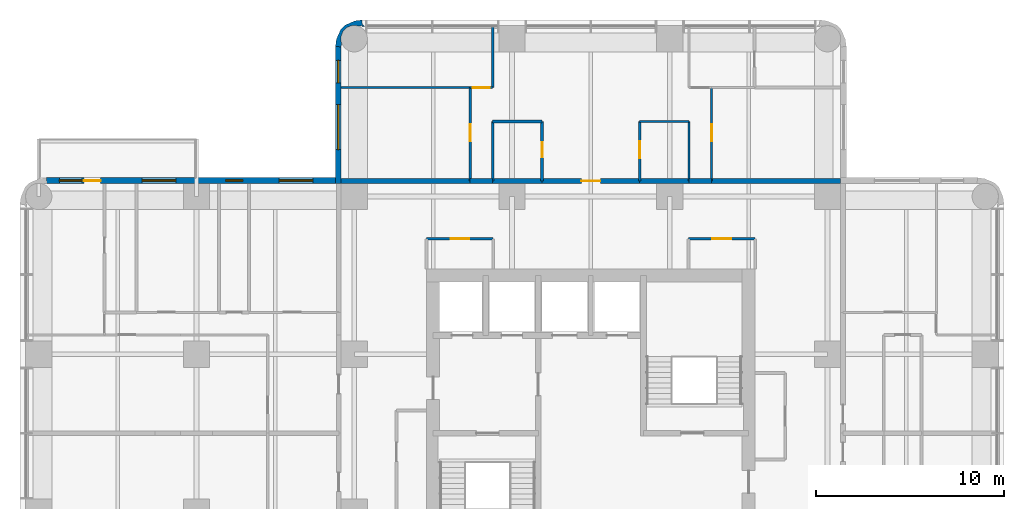
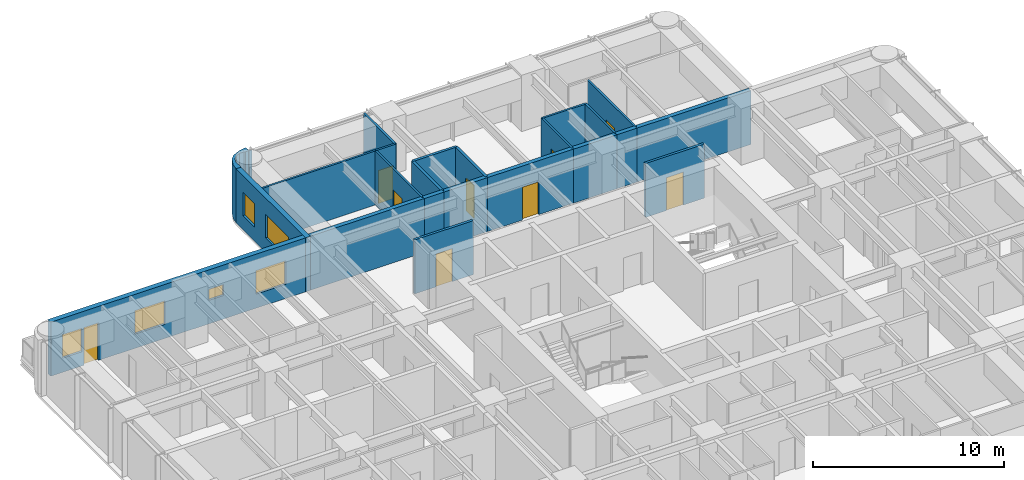
# One storey, part 9 of 11: 23 walls, 9 doors, 6 windows, 15 openings.
"""IFC4 building model written with IfcOpenShell, lengths in metres."""

from ifc_helpers import new_model, si_unit, direction, frame, frame_2d, origin, place, context, subcontext, project, spatial, polyline, rectangle, outline, extrude, material, layer, layer_set, type_object, element, fill, save


model = new_model("IFC4")

# Units and contexts
model_context = context("Model", 3, precision=1e-05, world=origin(), true_north=direction((0.0, 1.0)))
body_context = subcontext(model_context, "Body", "Model", "MODEL_VIEW")
ifc_project = project(units=[si_unit("LENGTHUNIT", "METRE"), si_unit("AREAUNIT", "SQUARE_METRE"), si_unit("VOLUMEUNIT", "CUBIC_METRE"), si_unit("PLANEANGLEUNIT", "RADIAN"), si_unit("MASSUNIT", "GRAM", prefix="KILO")], contexts=[model_context])

# Site, building, storey
site_placement = place(None, origin())
site = spatial("IfcSite", under=ifc_project, at=site_placement, CompositionType="ELEMENT")
building_placement = place(site_placement, origin())
building = spatial("IfcBuilding", under=site, at=building_placement, Name="Torre Alcanfor", CompositionType="ELEMENT")
storey_placement = place(building_placement, frame((0.0, 0.0, 197.699951171875)))
storey = spatial("IfcBuildingStorey", under=building, at=storey_placement, Name="L51", CompositionType="ELEMENT", Elevation=197.699951171875)

# Wall, opening, door
ifc_material_1 = material(Name="Concrete block masonry, hollow blocks NMX-C-404 9 MPa", Category="masonry")
ifc_layer_1 = layer(ifc_material_1, 0.25)
ifc_layer_set_1 = layer_set([ifc_layer_1], Name="Apartment entrance wall 250 EI 60")
wall_type_1 = type_object("IfcWallType", Name="Apartment entrance wall 250 EI 60", PredefinedType="PARTITIONING", material=ifc_layer_set_1)
wall_1_placement = place(storey_placement, frame((26.800048828125, 42.824951171875, 0.0), z_axis=(0.0, 0.0, 1.0), x_axis=(1.0, 0.0, 0.0)))
wall_1 = element("IfcWall", 1, at=wall_1_placement, inside=storey, type_object=wall_type_1, Name="Partition L51-CORR / L51-NX-ZAG", PredefinedType="PARTITIONING", context=body_context, shape_type="SweptSolid", body=[
    extrude(rectangle(XDim=5.199951171875, YDim=0.25, at=frame_2d((2.60009765625, 0.0))), origin(), (0.0, 0.0, 1.0), 3.449951171875),
])
opening_1_placement = place(wall_1_placement, frame((2.10009765625, 0.0, 0.0)))
opening_1 = element("IfcOpeningElement", 2, at=opening_1_placement, cuts=wall_1, Name="Opening D-A1", PredefinedType="OPENING", context=body_context, shape_type="SweptSolid", body=[
    extrude(rectangle(XDim=1.0, YDim=2.10009765625, at=frame_2d((0.5, 1.050048828125))), frame((0.0, 0.135009765625, 0.0), z_axis=(0.0, -1.0, 0.0), x_axis=(1.0, 0.0, 0.0)), (0.0, 0.0, 1.0), 0.27001953125),
])
ifc_material_2 = material(Name="Galvanised steel sheet ASTM A653", Category="steel")
door_type_1 = type_object("IfcDoorType", Name="Apartment entrance door FD60 1000x2100", OperationType="SINGLE_SWING_LEFT", PredefinedType="DOOR", material=ifc_material_2)
door_1_placement = place(opening_1_placement, origin())
door_1 = element("IfcDoor", 3, at=door_1_placement, inside=storey, type_object=door_type_1, Name="Apartment entrance L51-NX", OperationType="SINGLE_SWING_LEFT", OverallHeight=2.10009765625, OverallWidth=1.0, PredefinedType="DOOR", context=body_context, shape_type="SweptSolid", body=[
    extrude(rectangle(XDim=1.0, YDim=2.10009765625, at=frame_2d((0.5, 1.050048828125))), frame((0.0, 0.02490234375, 0.0), z_axis=(0.0, -1.0, 0.0), x_axis=(1.0, 0.0, 0.0)), (0.0, 0.0, 1.0), 0.050048828125),
])
fill(opening_1, door_1)

# Walls
wall_2_placement = place(storey_placement, frame((24.1708984375, 42.824951171875, 0.0), z_axis=(0.0, 0.0, 1.0), x_axis=(1.0, 0.0, 0.0)))
element("IfcWall", 4, at=wall_2_placement, inside=storey, type_object=wall_type_1, Name="Partition L51-CORR / L51-NX-BATH2", PredefinedType="PARTITIONING", context=body_context, shape_type="SweptSolid", body=[
    extrude(rectangle(XDim=2.629150390625, YDim=0.25, at=frame_2d((1.314453125, 0.0))), origin(), (0.0, 0.0, 1.0), 3.449951171875),
])
wall_3_placement = place(storey_placement, frame((32.0, 42.824951171875, 0.0), z_axis=(0.0, 0.0, 1.0), x_axis=(1.0, 0.0, 0.0)))
element("IfcWall", 5, at=wall_3_placement, inside=storey, type_object=wall_type_1, Name="Partition L51-CORR / L51-NX-KITCHEN", PredefinedType="PARTITIONING", context=body_context, shape_type="SweptSolid", body=[
    extrude(rectangle(XDim=2.62890625, YDim=0.25, at=frame_2d((1.314453125, 0.0))), origin(), (0.0, 0.0, 1.0), 3.449951171875),
])
wall_4_placement = place(storey_placement, frame((22.970947265625, 42.824951171875, 0.0), z_axis=(0.0, 0.0, 1.0), x_axis=(1.0, 0.0, 0.0)))
element("IfcWall", 6, at=wall_4_placement, inside=storey, type_object=wall_type_1, Name="Partition L51-CORR / L51-NX-LIVING", PredefinedType="PARTITIONING", context=body_context, shape_type="SweptSolid", body=[
    extrude(rectangle(XDim=1.199951171875, YDim=0.25, at=frame_2d((0.60009765625, 0.0))), origin(), (0.0, 0.0, 1.0), 3.449951171875),
])
wall_5_placement = place(storey_placement, frame((34.62890625, 42.824951171875, 0.0), z_axis=(0.0, 0.0, 1.0), x_axis=(1.0, 0.0, 0.0)))
element("IfcWall", 7, at=wall_5_placement, inside=storey, type_object=wall_type_1, Name="Partition L51-CORR / L51-NX-LIVING", PredefinedType="PARTITIONING", context=body_context, shape_type="SweptSolid", body=[
    extrude(rectangle(XDim=1.2001953125, YDim=0.25, at=frame_2d((0.60009765625, 0.0))), origin(), (0.0, 0.0, 1.0), 3.449951171875),
])
for number, where, z_axis, x_axis, name in (
    (8, (16.10009765625, 42.824951171875, 0.0), (0.0, 0.0, 1.0), (1.0, 0.0, 0.0), "Partition L51-CORR / L51-NX-BED2"),
    (9, (35.8291015625, 42.824951171875, 0.0), (0.0, 0.0, 1.0), (1.0, 0.0, 0.0), "Partition L51-CORR / L51-NX-BED3"),
):
    element("IfcWall", number, at=place(storey_placement, frame(where, z_axis=z_axis, x_axis=x_axis)), inside=storey, type_object=wall_type_1, Name=name, PredefinedType="PARTITIONING", context=body_context, shape_type="SweptSolid", body=[
        extrude(rectangle(XDim=6.870849609375, YDim=0.25, at=frame_2d((3.435546875, 0.0))), origin(), (0.0, 0.0, 1.0), 3.449951171875),
    ])

# Wall, opening, door
ifc_material_3 = material(Name="Gypsum board on steel studs", Category="steel")
ifc_layer_2 = layer(ifc_material_3, 0.1201171875)
ifc_layer_set_2 = layer_set([ifc_layer_2], Name="Apartment partition 120")
wall_type_2 = type_object("IfcWallType", Name="Apartment partition 120", PredefinedType="PARTITIONING", material=ifc_layer_set_2)
wall_6_placement = place(storey_placement, frame((32.0, 42.824951171875, 0.0), z_axis=(0.0, 0.0, 1.0), x_axis=(0.0, 1.0, 0.0)))
wall_6 = element("IfcWall", 10, at=wall_6_placement, inside=storey, type_object=wall_type_2, Name="Partition L51-NX-ZAG / L51-NX-KITCHEN", PredefinedType="PARTITIONING", context=body_context, shape_type="SweptSolid", body=[
    extrude(rectangle(XDim=3.175048828125, YDim=0.1201171875, at=frame_2d((1.58740234375, 0.0))), origin(), (0.0, 0.0, 1.0), 3.449951171875),
])
opening_2_placement = place(wall_6_placement, frame((1.22509765625, 0.0, 0.0)))
opening_2 = element("IfcOpeningElement", 11, at=opening_2_placement, cuts=wall_6, Name="Opening D-R1", PredefinedType="OPENING", context=body_context, shape_type="SweptSolid", body=[
    extrude(rectangle(XDim=0.89990234375, YDim=2.10009765625, at=frame_2d((0.449951171875, 1.050048828125))), frame((0.0, 0.070068359375, 0.0), z_axis=(0.0, -1.0, 0.0), x_axis=(1.0, 0.0, 0.0)), (0.0, 0.0, 1.0), 0.14013671875),
])
ifc_material_4 = material(Name="Timber", Category="wood")
door_type_2 = type_object("IfcDoorType", Name="Internal door 900x2100", OperationType="SINGLE_SWING_LEFT", PredefinedType="DOOR", material=ifc_material_4)
door_2_placement = place(opening_2_placement, frame((0.89990234375, 0.0, 0.0), z_axis=(0.0, 0.0, 1.0), x_axis=(-1.0, 0.0, 0.0)))
door_2 = element("IfcDoor", 12, at=door_2_placement, inside=storey, type_object=door_type_2, Name="Door L51-NX kitchen", OperationType="SINGLE_SWING_LEFT", OverallHeight=2.10009765625, OverallWidth=0.89990234375, PredefinedType="DOOR", context=body_context, shape_type="SweptSolid", body=[
    extrude(rectangle(XDim=0.89990234375, YDim=2.10009765625, at=frame_2d((0.449951171875, 1.050048828125))), frame((0.0, 0.025146484375, 0.0), z_axis=(0.0, -1.0, 0.0), x_axis=(1.0, 0.0, 0.0)), (0.0, 0.0, 1.0), 0.050048828125),
])
fill(opening_2, door_2)

# Walls
wall_7_placement = place(storey_placement, frame((34.62890625, 42.824951171875, 0.0), z_axis=(0.0, 0.0, 1.0), x_axis=(0.0, 1.0, 0.0)))
element("IfcWall", 13, at=wall_7_placement, inside=storey, type_object=wall_type_2, Name="Partition L51-NX-KITCHEN / L51-NX-LIVING", PredefinedType="PARTITIONING", context=body_context, shape_type="SweptSolid", body=[
    extrude(rectangle(XDim=3.175048828125, YDim=0.1201171875, at=frame_2d((1.58740234375, 0.0))), origin(), (0.0, 0.0, 1.0), 3.449951171875),
])
wall_8_placement = place(storey_placement, frame((34.62890625, 46.0, 0.0), z_axis=(0.0, 0.0, 1.0), x_axis=(-1.0, 0.0, 0.0)))
element("IfcWall", 14, at=wall_8_placement, inside=storey, type_object=wall_type_2, Name="Partition L51-NX-KITCHEN / L51-NX-LIVING", PredefinedType="PARTITIONING", context=body_context, shape_type="SweptSolid", body=[
    extrude(rectangle(XDim=2.62890625, YDim=0.1201171875, at=frame_2d((1.314453125, 0.0))), origin(), (0.0, 0.0, 1.0), 3.449951171875),
])

# Wall, opening, door
wall_9_placement = place(storey_placement, frame((22.970947265625, 42.824951171875, 0.0), z_axis=(0.0, 0.0, 1.0), x_axis=(0.0, 1.0, 0.0)))
wall_9 = element("IfcWall", 15, at=wall_9_placement, inside=storey, type_object=wall_type_2, Name="Partition L51-NX-LIVING / L51-NX-BED2", PredefinedType="PARTITIONING", context=body_context, shape_type="SweptSolid", body=[
    extrude(rectangle(XDim=4.97509765625, YDim=0.1201171875, at=frame_2d((2.487548828125, 0.0))), origin(), (0.0, 0.0, 1.0), 3.449951171875),
])
opening_3_placement = place(wall_9_placement, frame((2.125, 0.0, 0.0)))
opening_3 = element("IfcOpeningElement", 16, at=opening_3_placement, cuts=wall_9, Name="Opening D-R1", PredefinedType="OPENING", context=body_context, shape_type="SweptSolid", body=[
    extrude(rectangle(XDim=0.89990234375, YDim=2.10009765625, at=frame_2d((0.449951171875, 1.050048828125))), frame((0.0, 0.070068359375, 0.0), z_axis=(0.0, -1.0, 0.0), x_axis=(1.0, 0.0, 0.0)), (0.0, 0.0, 1.0), 0.14013671875),
])
door_3_placement = place(opening_3_placement, origin())
door_3 = element("IfcDoor", 17, at=door_3_placement, inside=storey, type_object=door_type_2, Name="Door L51-NX bed2", OperationType="SINGLE_SWING_RIGHT", OverallHeight=2.10009765625, OverallWidth=0.89990234375, PredefinedType="DOOR", context=body_context, shape_type="SweptSolid", body=[
    extrude(rectangle(XDim=0.89990234375, YDim=2.10009765625, at=frame_2d((0.449951171875, 1.050048828125))), frame((0.0, 0.02490234375, 0.0), z_axis=(0.0, -1.0, 0.0), x_axis=(1.0, 0.0, 0.0)), (0.0, 0.0, 1.0), 0.050048828125),
])
fill(opening_3, door_3)

wall_10_placement = place(storey_placement, frame((22.970947265625, 47.800048828125, 0.0), z_axis=(0.0, 0.0, 1.0), x_axis=(1.0, 0.0, 0.0)))
wall_10 = element("IfcWall", 18, at=wall_10_placement, inside=storey, type_object=wall_type_2, Name="Partition L51-NX-LIVING / L51-NX-MASTER", PredefinedType="PARTITIONING", context=body_context, shape_type="SweptSolid", body=[
    extrude(rectangle(XDim=1.199951171875, YDim=0.1201171875, at=frame_2d((0.60009765625, 0.0))), origin(), (0.0, 0.0, 1.0), 3.449951171875),
])
opening_4_placement = place(wall_10_placement, frame((0.14892578125, 0.0, 0.0)))
opening_4 = element("IfcOpeningElement", 19, at=opening_4_placement, cuts=wall_10, Name="Opening D-R1", PredefinedType="OPENING", context=body_context, shape_type="SweptSolid", body=[
    extrude(rectangle(XDim=0.89990234375, YDim=2.10009765625, at=frame_2d((0.449951171875, 1.050048828125))), frame((0.0, 0.070068359375, 0.0), z_axis=(0.0, -1.0, 0.0), x_axis=(1.0, 0.0, 0.0)), (0.0, 0.0, 1.0), 0.14013671875),
])
door_4_placement = place(opening_4_placement, origin())
door_4 = element("IfcDoor", 20, at=door_4_placement, inside=storey, type_object=door_type_2, Name="Door L51-NX master", OperationType="SINGLE_SWING_RIGHT", OverallHeight=2.10009765625, OverallWidth=0.89990234375, PredefinedType="DOOR", context=body_context, shape_type="SweptSolid", body=[
    extrude(rectangle(XDim=0.89990234375, YDim=2.10009765625, at=frame_2d((0.449951171875, 1.050048828125))), frame((0.0, 0.02490234375, 0.0), z_axis=(0.0, -1.0, 0.0), x_axis=(1.0, 0.0, 0.0)), (0.0, 0.0, 1.0), 0.050048828125),
])
fill(opening_4, door_4)

# Wall
wall_11_placement = place(storey_placement, frame((24.1708984375, 47.800048828125, 0.0), z_axis=(0.0, 0.0, 1.0), x_axis=(0.0, 1.0, 0.0)))
element("IfcWall", 21, at=wall_11_placement, inside=storey, type_object=wall_type_2, Name="Partition L51-NX-LIVING / L51-NX-MASTER", PredefinedType="PARTITIONING", context=body_context, shape_type="SweptSolid", body=[
    extrude(rectangle(XDim=3.25, YDim=0.1201171875, at=frame_2d((1.625, 0.0))), origin(), (0.0, 0.0, 1.0), 3.449951171875),
])

# Wall, opening, door
wall_12_placement = place(storey_placement, frame((35.8291015625, 47.800048828125, 0.0), z_axis=(0.0, 0.0, 1.0), x_axis=(0.0, -1.0, 0.0)))
wall_12 = element("IfcWall", 22, at=wall_12_placement, inside=storey, type_object=wall_type_2, Name="Partition L51-NX-LIVING / L51-NX-BED3", PredefinedType="PARTITIONING", context=body_context, shape_type="SweptSolid", body=[
    extrude(rectangle(XDim=4.97509765625, YDim=0.1201171875, at=frame_2d((2.487548828125, 0.0))), origin(), (0.0, 0.0, 1.0), 3.449951171875),
])
opening_5_placement = place(wall_12_placement, frame((1.949951171875, 0.0, 0.0)))
opening_5 = element("IfcOpeningElement", 23, at=opening_5_placement, cuts=wall_12, Name="Opening D-R1", PredefinedType="OPENING", context=body_context, shape_type="SweptSolid", body=[
    extrude(rectangle(XDim=0.89990234375, YDim=2.10009765625, at=frame_2d((0.449951171875, 1.050048828125))), frame((0.0, 0.070068359375, 0.0), z_axis=(0.0, -1.0, 0.0), x_axis=(1.0, 0.0, 0.0)), (0.0, 0.0, 1.0), 0.14013671875),
])
door_5_placement = place(opening_5_placement, origin())
door_5 = element("IfcDoor", 24, at=door_5_placement, inside=storey, type_object=door_type_2, Name="Door L51-NX bed3", OperationType="SINGLE_SWING_LEFT", OverallHeight=2.10009765625, OverallWidth=0.89990234375, PredefinedType="DOOR", context=body_context, shape_type="SweptSolid", body=[
    extrude(rectangle(XDim=0.89990234375, YDim=2.10009765625, at=frame_2d((0.449951171875, 1.050048828125))), frame((0.0, 0.02490234375, 0.0), z_axis=(0.0, -1.0, 0.0), x_axis=(1.0, 0.0, 0.0)), (0.0, 0.0, 1.0), 0.050048828125),
])
fill(opening_5, door_5)

# Wall
wall_13_placement = place(storey_placement, frame((22.970947265625, 47.800048828125, 0.0), z_axis=(0.0, 0.0, 1.0), x_axis=(-1.0, 0.0, 0.0)))
element("IfcWall", 25, at=wall_13_placement, inside=storey, type_object=wall_type_2, Name="Partition L51-NX-BED2 / L51-NX-MASTER", PredefinedType="PARTITIONING", context=body_context, shape_type="SweptSolid", body=[
    extrude(rectangle(XDim=6.870849609375, YDim=0.1201171875, at=frame_2d((3.435546875, 0.0))), origin(), (0.0, 0.0, 1.0), 3.449951171875),
])

# Wall, openings, door, windows
ifc_material_5 = material(Name="Limestone cladding", Category="masonry")
ifc_layer_3 = layer(ifc_material_5, 0.0400390625, Name="Facing")
ifc_material_6 = material(Name="Ventilated air cavity")
ifc_layer_4 = layer(ifc_material_6, 0.02001953125, ventilated=True, Name="Ventilated joint")
ifc_material_7 = material(Name="Mineral wool insulation", Category="insulation")
ifc_layer_5 = layer(ifc_material_7, 0.10009765625, Name="Insulation")
ifc_material_8 = material(Name="Concrete f'c 35 MPa", Category="concrete")
ifc_layer_6 = layer(ifc_material_8, 0.139892578125, Name="Backing")
ifc_layer_set_3 = layer_set([ifc_layer_3, ifc_layer_4, ifc_layer_5, ifc_layer_6], Name="External wall stone-clad 300")
wall_type_3 = type_object("IfcWallType", Name="External wall stone-clad 300", PredefinedType="SOLIDWALL", material=ifc_layer_set_3)
wall_14_placement = place(storey_placement, frame((15.800048828125, 42.85009765625, 0.0), z_axis=(0.0, 0.0, 1.0), x_axis=(-1.0, 0.0, 0.0)))
wall_14 = element("IfcWall", 26, at=wall_14_placement, inside=storey, type_object=wall_type_3, Name="External wall L51 1", PredefinedType="SOLIDWALL", context=body_context, shape_type="SweptSolid", body=[
    extrude(rectangle(XDim=15.400146484375, YDim=0.300048828125, at=frame_2d((7.7001953125, 0.0))), origin(), (0.0, 0.0, 1.0), 3.449951171875),
])
opening_6_placement = place(wall_14_placement, frame((1.199951171875, 0.0, 0.89990234375)))
opening_6 = element("IfcOpeningElement", 27, at=opening_6_placement, cuts=wall_14, Name="Opening W2", PredefinedType="OPENING", context=body_context, shape_type="SweptSolid", body=[
    extrude(rectangle(XDim=1.800048828125, YDim=1.5, at=frame_2d((0.89990234375, 0.75))), frame((0.0, 0.159912109375, 0.0), z_axis=(0.0, -1.0, 0.0), x_axis=(1.0, 0.0, 0.0)), (0.0, 0.0, 1.0), 0.320068359375),
])
opening_7_placement = place(wall_14_placement, frame((4.949951171875, 0.0, 1.5)))
opening_7 = element("IfcOpeningElement", 28, at=opening_7_placement, cuts=wall_14, Name="Opening W3", PredefinedType="OPENING", context=body_context, shape_type="SweptSolid", body=[
    extrude(rectangle(XDim=0.89990234375, YDim=0.699951171875, at=frame_2d((0.449951171875, 0.35009765625))), frame((0.0, 0.159912109375, 0.0), z_axis=(0.0, -1.0, 0.0), x_axis=(1.0, 0.0, 0.0)), (0.0, 0.0, 1.0), 0.320068359375),
])
opening_8_placement = place(wall_14_placement, frame((8.5, 0.0, 0.89990234375)))
opening_8 = element("IfcOpeningElement", 29, at=opening_8_placement, cuts=wall_14, Name="Opening W2", PredefinedType="OPENING", context=body_context, shape_type="SweptSolid", body=[
    extrude(rectangle(XDim=1.800048828125, YDim=1.5, at=frame_2d((0.89990234375, 0.75))), frame((0.0, 0.159912109375, 0.0), z_axis=(0.0, -1.0, 0.0), x_axis=(1.0, 0.0, 0.0)), (0.0, 0.0, 1.0), 0.320068359375),
])
opening_9_placement = place(wall_14_placement, frame((12.5, 0.0, 0.0)))
opening_9 = element("IfcOpeningElement", 30, at=opening_9_placement, cuts=wall_14, Name="Opening D-B1", PredefinedType="OPENING", context=body_context, shape_type="SweptSolid", body=[
    extrude(rectangle(XDim=0.89990234375, YDim=2.39990234375, at=frame_2d((0.449951171875, 1.199951171875))), frame((0.0, 0.159912109375, 0.0), z_axis=(0.0, -1.0, 0.0), x_axis=(1.0, 0.0, 0.0)), (0.0, 0.0, 1.0), 0.320068359375),
])
opening_10_placement = place(wall_14_placement, frame((13.5, 0.0, 0.89990234375)))
opening_10 = element("IfcOpeningElement", 31, at=opening_10_placement, cuts=wall_14, Name="Opening W4", PredefinedType="OPENING", context=body_context, shape_type="SweptSolid", body=[
    extrude(rectangle(XDim=1.199951171875, YDim=1.5, at=frame_2d((0.60009765625, 0.75))), frame((0.0, 0.159912109375, 0.0), z_axis=(0.0, -1.0, 0.0), x_axis=(1.0, 0.0, 0.0)), (0.0, 0.0, 1.0), 0.320068359375),
])
ifc_material_9 = material(Name="Aluminium and glass", Category="aluminium")
door_type_3 = type_object("IfcDoorType", Name="Balcony door glazed 900x2400", OperationType="SINGLE_SWING_LEFT", PredefinedType="DOOR", material=ifc_material_9)
door_6_placement = place(opening_9_placement, origin())
door_6 = element("IfcDoor", 32, at=door_6_placement, inside=storey, type_object=door_type_3, Name="Balcony door L51-W2", OperationType="SINGLE_SWING_LEFT", OverallHeight=2.39990234375, OverallWidth=0.89990234375, PredefinedType="DOOR", context=body_context, shape_type="SweptSolid", body=[
    extrude(rectangle(XDim=0.89990234375, YDim=2.39990234375, at=frame_2d((0.449951171875, 1.199951171875))), frame((0.0, 0.02490234375, 0.0), z_axis=(0.0, -1.0, 0.0), x_axis=(1.0, 0.0, 0.0)), (0.0, 0.0, 1.0), 0.050048828125),
])
fill(opening_9, door_6)
ifc_material_10 = material(Name="Aluminium frame with clear double glazing", Category="aluminium")
window_type_1 = type_object("IfcWindowType", Name="Window bathroom 900x700", PartitioningType="SINGLE_PANEL", PredefinedType="WINDOW", material=ifc_material_10)
window_1_placement = place(opening_7_placement, origin())
window_1 = element("IfcWindow", 33, at=window_1_placement, inside=storey, type_object=window_type_1, Name="Window W3 L51-W2", OverallHeight=0.699951171875, OverallWidth=0.89990234375, PartitioningType="SINGLE_PANEL", PredefinedType="WINDOW", context=body_context, shape_type="SweptSolid", body=[
    extrude(rectangle(XDim=0.89990234375, YDim=0.699951171875, at=frame_2d((0.449951171875, 0.35009765625))), frame((0.0, 0.030029296875, 0.0), z_axis=(0.0, -1.0, 0.0), x_axis=(1.0, 0.0, 0.0)), (0.0, 0.0, 1.0), 0.06005859375),
])
fill(opening_7, window_1)
ifc_material_11 = material(Name="Aluminium frame with clear double glazing", Category="aluminium")
window_type_2 = type_object("IfcWindowType", Name="Window bedroom 1200x1500", PartitioningType="SINGLE_PANEL", PredefinedType="WINDOW", material=ifc_material_11)
window_2_placement = place(opening_10_placement, origin())
window_2 = element("IfcWindow", 34, at=window_2_placement, inside=storey, type_object=window_type_2, Name="Window W4 L51-W2", OverallHeight=1.5, OverallWidth=1.199951171875, PartitioningType="SINGLE_PANEL", PredefinedType="WINDOW", context=body_context, shape_type="SweptSolid", body=[
    extrude(rectangle(XDim=1.199951171875, YDim=1.5, at=frame_2d((0.60009765625, 0.75))), frame((0.0, 0.030029296875, 0.0), z_axis=(0.0, -1.0, 0.0), x_axis=(1.0, 0.0, 0.0)), (0.0, 0.0, 1.0), 0.06005859375),
])
fill(opening_10, window_2)
ifc_material_12 = material(Name="Aluminium frame with clear double glazing", Category="aluminium")
window_type_3 = type_object("IfcWindowType", Name="Window bedroom 1800x1500", PartitioningType="SINGLE_PANEL", PredefinedType="WINDOW", material=ifc_material_12)
window_3_placement = place(opening_6_placement, origin())
window_3 = element("IfcWindow", 35, at=window_3_placement, inside=storey, type_object=window_type_3, Name="Window W2 L51-W2", OverallHeight=1.5, OverallWidth=1.800048828125, PartitioningType="SINGLE_PANEL", PredefinedType="WINDOW", context=body_context, shape_type="SweptSolid", body=[
    extrude(rectangle(XDim=1.800048828125, YDim=1.5, at=frame_2d((0.89990234375, 0.75))), frame((0.0, 0.030029296875, 0.0), z_axis=(0.0, -1.0, 0.0), x_axis=(1.0, 0.0, 0.0)), (0.0, 0.0, 1.0), 0.06005859375),
])
fill(opening_6, window_3)
window_4_placement = place(opening_8_placement, origin())
window_4 = element("IfcWindow", 36, at=window_4_placement, inside=storey, type_object=window_type_3, Name="Window W2 L51-W2", OverallHeight=1.5, OverallWidth=1.800048828125, PartitioningType="SINGLE_PANEL", PredefinedType="WINDOW", context=body_context, shape_type="SweptSolid", body=[
    extrude(rectangle(XDim=1.800048828125, YDim=1.5, at=frame_2d((0.89990234375, 0.75))), frame((0.0, 0.030029296875, 0.0), z_axis=(0.0, -1.0, 0.0), x_axis=(1.0, 0.0, 0.0)), (0.0, 0.0, 1.0), 0.06005859375),
])
fill(opening_8, window_4)

# Wall, openings, windows
wall_15_placement = place(storey_placement, frame((15.949951171875, 50.0, 0.0), z_axis=(0.0, 0.0, 1.0), x_axis=(0.0, -1.0, 0.0)))
wall_15 = element("IfcWall", 37, at=wall_15_placement, inside=storey, type_object=wall_type_3, Name="External wall L51 12", PredefinedType="SOLIDWALL", context=body_context, shape_type="SweptSolid", body=[
    extrude(rectangle(XDim=7.300048828125, YDim=0.300048828125, at=frame_2d((3.64990234375, 0.0))), origin(), (0.0, 0.0, 1.0), 3.449951171875),
])
opening_11_placement = place(wall_15_placement, frame((3.10009765625, 0.0, 0.89990234375)))
opening_11 = element("IfcOpeningElement", 38, at=opening_11_placement, cuts=wall_15, Name="Opening W1", PredefinedType="OPENING", context=body_context, shape_type="SweptSolid", body=[
    extrude(rectangle(XDim=2.39990234375, YDim=1.5, at=frame_2d((1.199951171875, 0.75))), frame((0.0, 0.159912109375, 0.0), z_axis=(0.0, -1.0, 0.0), x_axis=(1.0, 0.0, 0.0)), (0.0, 0.0, 1.0), 0.320068359375),
])
opening_12_placement = place(wall_15_placement, frame((0.75, 0.0, 0.89990234375)))
opening_12 = element("IfcOpeningElement", 39, at=opening_12_placement, cuts=wall_15, Name="Opening W4", PredefinedType="OPENING", context=body_context, shape_type="SweptSolid", body=[
    extrude(rectangle(XDim=1.199951171875, YDim=1.5, at=frame_2d((0.60009765625, 0.75))), frame((0.0, 0.159912109375, 0.0), z_axis=(0.0, -1.0, 0.0), x_axis=(1.0, 0.0, 0.0)), (0.0, 0.0, 1.0), 0.320068359375),
])
window_5_placement = place(opening_12_placement, origin())
window_5 = element("IfcWindow", 40, at=window_5_placement, inside=storey, type_object=window_type_2, Name="Window W4 L51-N1", OverallHeight=1.5, OverallWidth=1.199951171875, PartitioningType="SINGLE_PANEL", PredefinedType="WINDOW", context=body_context, shape_type="SweptSolid", body=[
    extrude(rectangle(XDim=1.199951171875, YDim=1.5, at=frame_2d((0.60009765625, 0.75))), frame((0.0, 0.030029296875, 0.0), z_axis=(0.0, -1.0, 0.0), x_axis=(1.0, 0.0, 0.0)), (0.0, 0.0, 1.0), 0.06005859375),
])
fill(opening_12, window_5)
ifc_material_13 = material(Name="Aluminium frame with clear double glazing", Category="aluminium")
window_type_4 = type_object("IfcWindowType", Name="Window bedroom 2400x1500", PartitioningType="SINGLE_PANEL", PredefinedType="WINDOW", material=ifc_material_13)
window_6_placement = place(opening_11_placement, origin())
window_6 = element("IfcWindow", 41, at=window_6_placement, inside=storey, type_object=window_type_4, Name="Window W1 L51-N1", OverallHeight=1.5, OverallWidth=2.39990234375, PartitioningType="SINGLE_PANEL", PredefinedType="WINDOW", context=body_context, shape_type="SweptSolid", body=[
    extrude(rectangle(XDim=2.39990234375, YDim=1.5, at=frame_2d((1.199951171875, 0.75))), frame((0.0, 0.030029296875, 0.0), z_axis=(0.0, -1.0, 0.0), x_axis=(1.0, 0.0, 0.0)), (0.0, 0.0, 1.0), 0.06005859375),
])
fill(opening_11, window_6)

# Wall, opening, door
ifc_material_14 = material(Name="Concrete block masonry, hollow blocks NMX-C-404 9 MPa", Category="masonry")
ifc_layer_7 = layer(ifc_material_14, 0.14990234375)
ifc_layer_set_4 = layer_set([ifc_layer_7], Name="Residents' room partition 150")
wall_type_4 = type_object("IfcWallType", Name="Residents' room partition 150", PredefinedType="PARTITIONING", material=ifc_layer_set_4)
wall_16_placement = place(storey_placement, frame((24.199951171875, 39.75, 0.0), z_axis=(0.0, 0.0, 1.0), x_axis=(-1.0, 0.0, 0.0)))
wall_16 = element("IfcWall", 42, at=wall_16_placement, inside=storey, type_object=wall_type_4, Name="Partition L51-CORR / L51-G01", PredefinedType="PARTITIONING", context=body_context, shape_type="SweptSolid", body=[
    extrude(rectangle(XDim=3.550048828125, YDim=0.14990234375, at=frame_2d((1.77490234375, 0.0))), origin(), (0.0, 0.0, 1.0), 3.449951171875),
])
opening_13_placement = place(wall_16_placement, frame((1.27490234375, 0.0, 0.0)))
opening_13 = element("IfcOpeningElement", 43, at=opening_13_placement, cuts=wall_16, Name="Opening D-M1", PredefinedType="OPENING", context=body_context, shape_type="SweptSolid", body=[
    extrude(rectangle(XDim=1.0, YDim=2.10009765625, at=frame_2d((0.5, 1.050048828125))), frame((0.0, 0.0849609375, 0.0), z_axis=(0.0, -1.0, 0.0), x_axis=(1.0, 0.0, 0.0)), (0.0, 0.0, 1.0), 0.169921875),
])
ifc_material_15 = material(Name="Timber", Category="wood")
door_type_4 = type_object("IfcDoorType", Name="Residents' room door 1000x2100", OperationType="SINGLE_SWING_LEFT", PredefinedType="DOOR", material=ifc_material_15)
door_7_placement = place(opening_13_placement, origin())
door_7 = element("IfcDoor", 44, at=door_7_placement, inside=storey, type_object=door_type_4, Name="Door L51-G01 residents' storage", OperationType="SINGLE_SWING_LEFT", OverallHeight=2.10009765625, OverallWidth=1.0, PredefinedType="DOOR", context=body_context, shape_type="SweptSolid", body=[
    extrude(rectangle(XDim=1.0, YDim=2.10009765625, at=frame_2d((0.5, 1.050048828125))), frame((0.0, 0.02490234375, 0.0), z_axis=(0.0, -1.0, 0.0), x_axis=(1.0, 0.0, 0.0)), (0.0, 0.0, 1.0), 0.050048828125),
])
fill(opening_13, door_7)

wall_17_placement = place(storey_placement, frame((38.14990234375, 39.75, 0.0), z_axis=(0.0, 0.0, 1.0), x_axis=(-1.0, 0.0, 0.0)))
wall_17 = element("IfcWall", 45, at=wall_17_placement, inside=storey, type_object=wall_type_4, Name="Partition L51-CORR / L51-G02", PredefinedType="PARTITIONING", context=body_context, shape_type="SweptSolid", body=[
    extrude(rectangle(XDim=3.5498046875, YDim=0.14990234375, at=frame_2d((1.77490234375, 0.0))), origin(), (0.0, 0.0, 1.0), 3.449951171875),
])
opening_14_placement = place(wall_17_placement, frame((1.27490234375, 0.0, 0.0)))
opening_14 = element("IfcOpeningElement", 46, at=opening_14_placement, cuts=wall_17, Name="Opening D-M1", PredefinedType="OPENING", context=body_context, shape_type="SweptSolid", body=[
    extrude(rectangle(XDim=1.0, YDim=2.10009765625, at=frame_2d((0.5, 1.050048828125))), frame((0.0, 0.0849609375, 0.0), z_axis=(0.0, -1.0, 0.0), x_axis=(1.0, 0.0, 0.0)), (0.0, 0.0, 1.0), 0.169921875),
])
door_8_placement = place(opening_14_placement, origin())
door_8 = element("IfcDoor", 47, at=door_8_placement, inside=storey, type_object=door_type_4, Name="Door L51-G02 parcel room", OperationType="SINGLE_SWING_LEFT", OverallHeight=2.10009765625, OverallWidth=1.0, PredefinedType="DOOR", context=body_context, shape_type="SweptSolid", body=[
    extrude(rectangle(XDim=1.0, YDim=2.10009765625, at=frame_2d((0.5, 1.050048828125))), frame((0.0, 0.02490234375, 0.0), z_axis=(0.0, -1.0, 0.0), x_axis=(1.0, 0.0, 0.0)), (0.0, 0.0, 1.0), 0.050048828125),
])
fill(opening_14, door_8)

# Wall
ifc_layer_8 = layer(ifc_material_5, 0.0400390625, Name="Facing")
ifc_layer_9 = layer(ifc_material_6, 0.02001953125, ventilated=True, Name="Ventilated joint")
ifc_layer_10 = layer(ifc_material_7, 0.10009765625, Name="Insulation")
ifc_layer_11 = layer(ifc_material_8, 0.139892578125, Name="Backing")
ifc_layer_set_5 = layer_set([ifc_layer_8, ifc_layer_9, ifc_layer_10, ifc_layer_11], Name="Rounded corner pier stone-clad 300")
wall_type_5 = type_object("IfcWallType", Name="Rounded corner pier stone-clad 300", PredefinedType="SOLIDWALL", material=ifc_layer_set_5)
wall_18_placement = place(storey_placement, frame((17.312325495, 50.98815184, 0.0), z_axis=(0.0, 0.0, 1.0), x_axis=(-0.439933741929, 0.898030234854, 0.0)))
element("IfcWall", 48, at=wall_18_placement, inside=storey, type_object=wall_type_5, Name="Corner pier L51 20", PredefinedType="SOLIDWALL", context=body_context, shape_type="SweptSolid", body=[
    extrude(outline(polyline([(0.1377143835604198, -0.039385181817258766), (0.1818364553516057, -0.0003747232930663008), (0.4192016580531099, -0.08022740006820503), (0.5358388106960636, 0.26607727478531357), (0.5587531272282371, 0.6308374918089354), (0.5545485345760868, 0.6511120475500328), (0.5663705271242188, 0.8356242584424797), (0.45553712270786306, 1.1593357577081085), (0.33310540567156155, 1.2978817433582523), (0.3240010425966217, 1.316478699637952), (0.08232775629815992, 1.5906485457460864), (-0.22208869605726766, 1.7927915068834772), (-0.3896080971502234, 1.5407383104861123), (-0.3718491984629172, 1.532038448890355), (-0.1945577897528935, 1.41446516530517), (-0.1197255547664915, 1.4096136894189937), (0.13065299215824444, 1.286956381488686), (0.3152401217440383, 1.07772560900137), (0.4057142184300525, 0.8140105545565798), (0.3881041552353981, 0.5355508442955765), (0.26544684730509027, 0.28517229737084054), (0.20907264065944553, 0.23558040158200633), (0.14755628183616776, 0.052848260637269044), (0.10502262325175554, 0.07368496618760154), (0.031879342428165675, -0.0756213301834538), (0.1377143835604198, -0.039385181817258766)])), origin(), (0.0, 0.0, 1.0), 3.449951171875),
])

# Wall, opening, door
ifc_material_16 = material(Name="Cement board on steel studs", Category="steel")
ifc_layer_12 = layer(ifc_material_16, 0.14990234375)
ifc_layer_set_6 = layer_set([ifc_layer_12], Name="Wet area partition 150")
wall_type_6 = type_object("IfcWallType", Name="Wet area partition 150", PredefinedType="PARTITIONING", material=ifc_layer_set_6)
wall_19_placement = place(storey_placement, frame((26.800048828125, 46.0, 0.0), z_axis=(0.0, 0.0, 1.0), x_axis=(0.0, -1.0, 0.0)))
wall_19 = element("IfcWall", 49, at=wall_19_placement, inside=storey, type_object=wall_type_6, Name="Partition L51-NX-ZAG / L51-NX-BATH2", PredefinedType="PARTITIONING", context=body_context, shape_type="SweptSolid", body=[
    extrude(rectangle(XDim=3.175048828125, YDim=0.14990234375, at=frame_2d((1.58740234375, 0.0))), origin(), (0.0, 0.0, 1.0), 3.449951171875),
])
opening_15_placement = place(wall_19_placement, frame((1.10009765625, 0.0, 0.0)))
opening_15 = element("IfcOpeningElement", 50, at=opening_15_placement, cuts=wall_19, Name="Opening D-R2", PredefinedType="OPENING", context=body_context, shape_type="SweptSolid", body=[
    extrude(rectangle(XDim=0.800048828125, YDim=2.10009765625, at=frame_2d((0.39990234375, 1.050048828125))), frame((0.0, 0.0849609375, 0.0), z_axis=(0.0, -1.0, 0.0), x_axis=(1.0, 0.0, 0.0)), (0.0, 0.0, 1.0), 0.169921875),
])
ifc_material_17 = material(Name="Timber", Category="wood")
door_type_5 = type_object("IfcDoorType", Name="Bathroom door 800x2100", OperationType="SINGLE_SWING_LEFT", PredefinedType="DOOR", material=ifc_material_17)
door_9_placement = place(opening_15_placement, frame((0.800048828125, 0.0, 0.0), z_axis=(0.0, 0.0, 1.0), x_axis=(-1.0, 0.0, 0.0)))
door_9 = element("IfcDoor", 51, at=door_9_placement, inside=storey, type_object=door_type_5, Name="Door L51-NX bath2", OperationType="SINGLE_SWING_RIGHT", OverallHeight=2.10009765625, OverallWidth=0.800048828125, PredefinedType="DOOR", context=body_context, shape_type="SweptSolid", body=[
    extrude(rectangle(XDim=0.800048828125, YDim=2.10009765625, at=frame_2d((0.400146484375, 1.050048828125))), frame((0.0, 0.025146484375, 0.0), z_axis=(0.0, -1.0, 0.0), x_axis=(1.0, 0.0, 0.0)), (0.0, 0.0, 1.0), 0.050048828125),
])
fill(opening_15, door_9)

# Walls
wall_20_placement = place(storey_placement, frame((26.800048828125, 46.0, 0.0), z_axis=(0.0, 0.0, 1.0), x_axis=(-1.0, 0.0, 0.0)))
element("IfcWall", 52, at=wall_20_placement, inside=storey, type_object=wall_type_6, Name="Partition L51-NX-BATH2 / L51-NX-LIVING", PredefinedType="PARTITIONING", context=body_context, shape_type="SweptSolid", body=[
    extrude(rectangle(XDim=2.629150390625, YDim=0.14990234375, at=frame_2d((1.314453125, 0.0))), origin(), (0.0, 0.0, 1.0), 3.449951171875),
])
wall_21_placement = place(storey_placement, frame((24.1708984375, 46.0, 0.0), z_axis=(0.0, 0.0, 1.0), x_axis=(0.0, -1.0, 0.0)))
element("IfcWall", 53, at=wall_21_placement, inside=storey, type_object=wall_type_6, Name="Partition L51-NX-BATH2 / L51-NX-LIVING", PredefinedType="PARTITIONING", context=body_context, shape_type="SweptSolid", body=[
    extrude(rectangle(XDim=3.175048828125, YDim=0.14990234375, at=frame_2d((1.58740234375, 0.0))), origin(), (0.0, 0.0, 1.0), 3.449951171875),
])

save(model, "model.ifc")
